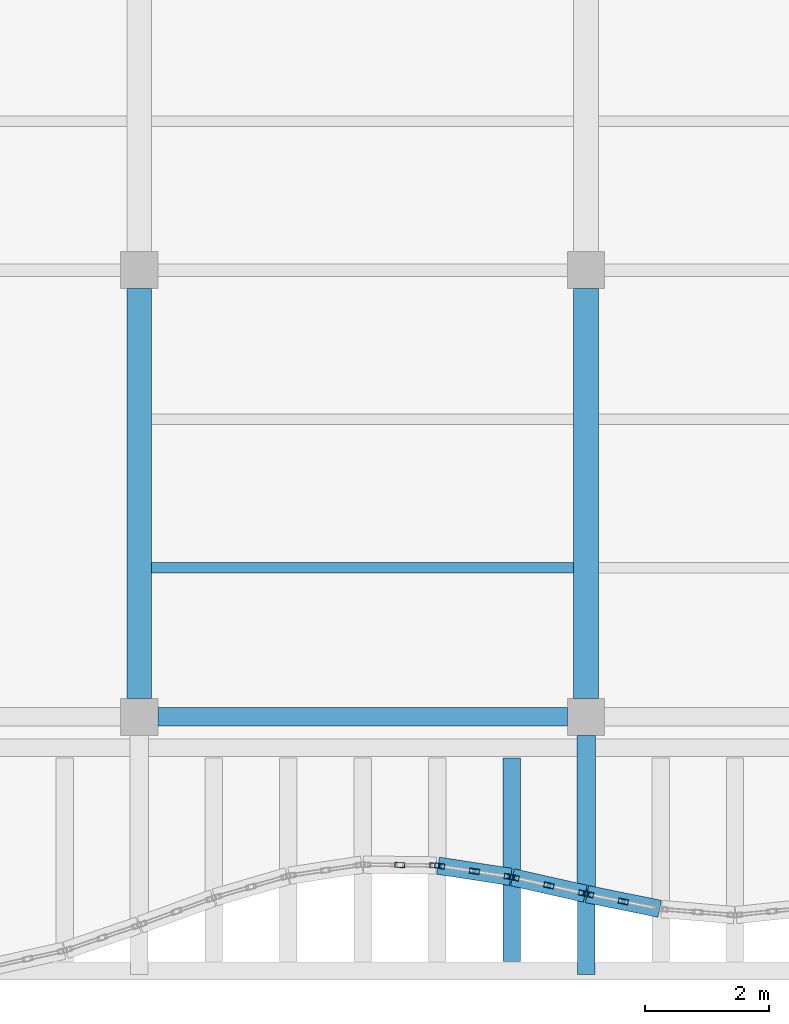
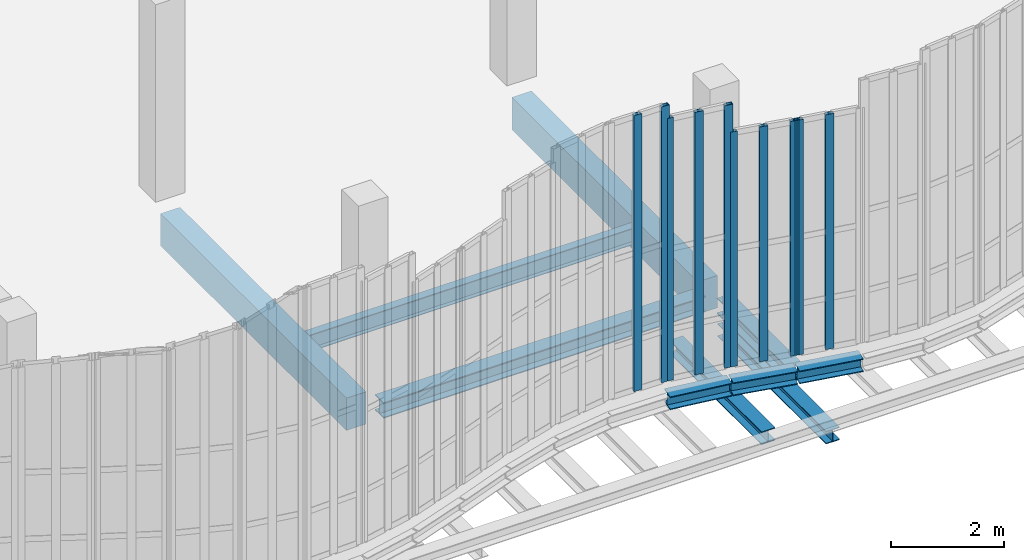
# One storey, part 19 of 76: 10 beams, 10 members, 4 elements without a shape of their own.
"""IFC4 building model written with IfcOpenShell, lengths in metres."""

from ifc_helpers import new_model, si_unit, direction, frame, origin, origin_2d, place, context, subcontext, project, spatial, rectangle, hollow_rectangle, i_section, extrude, material, layer, layer_set, material_profile, profile_set, type_object, element, aggregate, save


model = new_model("IFC4")

# Units and contexts
model_context = context("Model", 3, precision=1e-05, world=origin(), true_north=direction((0.0, 1.0)))
body_context = subcontext(model_context, "Body", "Model", "MODEL_VIEW")
ifc_project = project(units=[si_unit("LENGTHUNIT", "METRE"), si_unit("AREAUNIT", "SQUARE_METRE"), si_unit("VOLUMEUNIT", "CUBIC_METRE"), si_unit("PLANEANGLEUNIT", "RADIAN"), si_unit("MASSUNIT", "GRAM", prefix="KILO"), si_unit("THERMODYNAMICTEMPERATUREUNIT", "KELVIN"), si_unit("POWERUNIT", "WATT")], contexts=[model_context])

# Site, building, storey
site_placement = place(None, origin())
site = spatial("IfcSite", under=ifc_project, at=site_placement, CompositionType="ELEMENT")
building_placement = place(site_placement, origin())
building = spatial("IfcBuilding", under=site, at=building_placement, Name="Kaldorven Railside Theatre", CompositionType="ELEMENT")
storey_placement = place(building_placement, frame((0.0, 0.0, 14.39990234375)))
storey = spatial("IfcBuildingStorey", under=building, at=storey_placement, Name="L03", CompositionType="ELEMENT", Elevation=14.39990234375)

# Beams
ifc_material_1 = material(Name="Steel S355", Category="steel")
ifc_material_profile_1 = material_profile(ifc_material_1, i_section(OverallWidth=0.280029296875, OverallDepth=0.280029296875, WebThickness=0.010498046875, FlangeThickness=0.01806640625, at=origin_2d()), Name="HEB 280")
ifc_profile_set_1 = profile_set([ifc_material_profile_1], Name="Steel S355")
beam_type_1 = type_object("IfcBeamType", Name="BM-HEB280", PredefinedType="SPANDREL", material=ifc_profile_set_1)
beam_1_placement = place(storey_placement, frame((87.199951171875, 15.050048828125, -0.97998046875), z_axis=(0.0, 1.0, 0.0), x_axis=(-1.0, 0.0, 0.0)))
element("IfcBeam", 1, at=beam_1_placement, inside=storey, type_object=beam_type_1, Name="L03 Sinusoidal Lower Cantilever Girder FOB-K033", PredefinedType="SPANDREL", context=body_context, shape_type="SweptSolid", body=[
    extrude(i_section(OverallWidth=0.280029296875, OverallDepth=0.280029296875, WebThickness=0.010498046875, FlangeThickness=0.01806640625, at=origin_2d()), origin(), (0.0, 0.0, 1.0), 3.849853515625),
])
beam_2_placement = place(storey_placement, frame((84.814697265625, 16.80224609375, -0.419921875), z_axis=(0.988233068562, -0.152955556294, 0.0), x_axis=(0.152955556294, 0.988233068562, 0.0)))
element("IfcBeam", 2, at=beam_2_placement, inside=storey, type_object=beam_type_1, Name="L03 Sinusoidal Flute Edge Spandrel FSB-185", PredefinedType="SPANDREL", context=body_context, shape_type="SweptSolid", body=[
    extrude(i_section(OverallWidth=0.280029296875, OverallDepth=0.280029296875, WebThickness=0.010498046875, FlangeThickness=0.01806640625, at=origin_2d()), origin(), (0.0, 0.0, 1.0), 1.184326171875),
])
beam_3_placement = place(storey_placement, frame((86.0146484375, 16.615478515625, -0.419921875), z_axis=(0.975342220992, -0.220697874823, 0.0), x_axis=(0.220697874823, 0.975342220992, 0.0)))
element("IfcBeam", 3, at=beam_3_placement, inside=storey, type_object=beam_type_1, Name="L03 Sinusoidal Flute Edge Spandrel FSB-186", PredefinedType="SPANDREL", context=body_context, shape_type="SweptSolid", body=[
    extrude(i_section(OverallWidth=0.280029296875, OverallDepth=0.280029296875, WebThickness=0.010498046875, FlangeThickness=0.01806640625, at=origin_2d()), origin(), (0.0, 0.0, 1.0), 1.2001953125),
])
beam_4_placement = place(storey_placement, frame((86.0, 15.260009765625, -0.699951171875), z_axis=(0.0, 1.0, 0.0), x_axis=(-1.0, 0.0, 0.0)))
element("IfcBeam", 4, at=beam_4_placement, inside=storey, type_object=beam_type_1, Name="L03 Sinusoidal Diaphragm Rib Outrigger FOB-M186", PredefinedType="SPANDREL", context=body_context, shape_type="SweptSolid", body=[
    extrude(i_section(OverallWidth=0.280029296875, OverallDepth=0.280029296875, WebThickness=0.010498046875, FlangeThickness=0.01806640625, at=origin_2d()), origin(), (0.0, 0.0, 1.0), 3.280029296875),
])
beam_5_placement = place(storey_placement, frame((87.214599609375, 16.34423828125, -0.419921875), z_axis=(0.980145886477, -0.19827768715, 0.0), x_axis=(0.19827768715, 0.980145886477, 0.0)))
element("IfcBeam", 5, at=beam_5_placement, inside=storey, type_object=beam_type_1, Name="L03 Sinusoidal Flute Edge Spandrel FSB-187", PredefinedType="SPANDREL", context=body_context, shape_type="SweptSolid", body=[
    extrude(i_section(OverallWidth=0.280029296875, OverallDepth=0.280029296875, WebThickness=0.010498046875, FlangeThickness=0.01806640625, at=origin_2d()), origin(), (0.0, 0.0, 1.0), 1.1943359375),
])
ifc_material_profile_2 = material_profile(ifc_material_1, i_section(OverallWidth=0.300048828125, OverallDepth=0.340087890625, WebThickness=0.011962890625, FlangeThickness=0.021484375, at=origin_2d()), Name="HEB 340")
ifc_profile_set_2 = profile_set([ifc_material_profile_2], Name="Steel S355")
beam_type_2 = type_object("IfcBeamType", Name="BM-HEB340", PredefinedType="SPANDREL", material=ifc_profile_set_2)
beam_6_placement = place(storey_placement, frame((80.300048828125, 19.199951171875, -0.449951171875), z_axis=(1.0, 0.0, 0.0), x_axis=(0.0, 1.0, 0.0)))
element("IfcBeam", 6, at=beam_6_placement, inside=storey, type_object=beam_type_2, Name="L03 Girder BGX-L03-080-019", PredefinedType="SPANDREL", context=body_context, shape_type="SweptSolid", body=[
    extrude(i_section(OverallWidth=0.300048828125, OverallDepth=0.340087890625, WebThickness=0.011962890625, FlangeThickness=0.021484375, at=origin_2d()), origin(), (0.0, 0.0, 1.0), 6.599853515625),
])
beam_7_placement = place(storey_placement, frame((87.199951171875, 16.4072265625, -0.449951171875), z_axis=(0.0, 1.0, 0.0), x_axis=(-1.0, 0.0, 0.0)))
element("IfcBeam", 7, at=beam_7_placement, inside=storey, type_object=beam_type_2, Name="L03 Sinusoidal Veil Outrigger FOB-3087", PredefinedType="SPANDREL", context=body_context, shape_type="SweptSolid", body=[
    extrude(i_section(OverallWidth=0.300048828125, OverallDepth=0.340087890625, WebThickness=0.011962890625, FlangeThickness=0.021484375, at=origin_2d()), origin(), (0.0, 0.0, 1.0), 2.49267578125),
])
ifc_material_profile_3 = material_profile(ifc_material_1, i_section(OverallWidth=0.169921875, OverallDepth=0.360107421875, WebThickness=0.008056640625, FlangeThickness=0.0126953125, at=origin_2d()), Name="IPE 360")
ifc_profile_set_3 = profile_set([ifc_material_profile_3], Name="Steel S355")
beam_type_3 = type_object("IfcBeamType", Name="BM-IPE360", PredefinedType="JOIST", material=ifc_profile_set_3)
beam_8_placement = place(storey_placement, frame((80.199951171875, 21.60009765625, -0.4599609375), z_axis=(1.0, 0.0, 0.0), x_axis=(0.0, 1.0, 0.0)))
element("IfcBeam", 8, at=beam_8_placement, inside=storey, type_object=beam_type_3, Name="L03 Secondary Floor Joist JG-L03-080-0216", PredefinedType="JOIST", context=body_context, shape_type="SweptSolid", body=[
    extrude(i_section(OverallWidth=0.169921875, OverallDepth=0.360107421875, WebThickness=0.008056640625, FlangeThickness=0.0126953125, at=origin_2d()), origin(), (0.0, 0.0, 1.0), 6.800048828125),
])
ifc_material_2 = material(Name="Concrete C40/50", Category="concrete")
ifc_material_profile_4 = material_profile(ifc_material_2, rectangle(XDim=0.39990234375, YDim=0.699951171875, at=origin_2d()), Name="RC 400x700")
ifc_profile_set_4 = profile_set([ifc_material_profile_4], Name="Concrete C40/50")
beam_type_4 = type_object("IfcBeamType", Name="BM-RC400x700", PredefinedType="BEAM", material=ifc_profile_set_4)
for number, where, z_axis, x_axis, name in (
    (9, (80.0, 19.5, -0.6298828125), (0.0, 1.0, 0.0), (-1.0, 0.0, 0.0), "L03 Girder BGY-L03-080-019-72"),
    (10, (87.199951171875, 19.5, -0.6298828125), (0.0, 1.0, 0.0), (-1.0, 0.0, 0.0), "L03 Girder BGY-L03-087-019-72"),
):
    element("IfcBeam", number, at=place(storey_placement, frame(where, z_axis=z_axis, x_axis=x_axis)), inside=storey, type_object=beam_type_4, Name=name, PredefinedType="BEAM", context=body_context, shape_type="SweptSolid", body=[
        extrude(rectangle(XDim=0.39990234375, YDim=0.699951171875, at=origin_2d()), origin(), (0.0, 0.0, 1.0), 6.60009765625),
    ])

# Curtain wall, members
ifc_material_3 = material(Name="Low-E laminated solar-control glass", Category="glass")
ifc_layer_1 = layer(ifc_material_3, 0.159912109375, Name="Low-E laminated solar-control glass")
ifc_layer_set_1 = layer_set([ifc_layer_1], Name="Low-E laminated solar-control glass")
curtain_wall_type_1 = type_object("IfcCurtainWallType", Name="CWT-10", PredefinedType="USERDEFINED", material=ifc_layer_set_1)
curtain_wall_1_placement = place(storey_placement, origin())
curtain_wall_1 = element("IfcCurtainWall", 11, at=curtain_wall_1_placement, inside=storey, type_object=curtain_wall_type_1, Name="Sinusoidal Fluted Curtain Wall CW-L03-S40", ObjectType="FLUTED GLAZING", PredefinedType="USERDEFINED")
ifc_material_4 = material(Name="Anodised bronze aluminium", Category="aluminium")
ifc_material_profile_5 = material_profile(ifc_material_4, hollow_rectangle(XDim=0.080078125, YDim=0.159912109375, WallThickness=0.00634765625, at=origin_2d()), Name="RHS 160x80x6.3")
ifc_profile_set_5 = profile_set([ifc_material_profile_5], Name="Anodised bronze aluminium")
member_type = type_object("IfcMemberType", Name="CWM-160", PredefinedType="MULLION", material=ifc_profile_set_5)
member_1_placement = place(storey_placement, frame((84.199951171875, 16.81298828125, 0.0), z_axis=(0.0, 0.0, 1.0), x_axis=(0.013832009936, 0.999904333174, 0.0)))
member_1 = element("IfcMember", 12, at=member_1_placement, type_object=member_type, Name="CW-L03-S40 mullion 2", PredefinedType="MULLION", context=body_context, shape_type="SweptSolid", body=[
    extrude(hollow_rectangle(XDim=0.080078125, YDim=0.159912109375, WallThickness=0.00634765625, at=origin_2d()), origin(), (0.0, 0.0, 1.0), 5.97998046875),
])
member_2_placement = place(storey_placement, frame((84.760009765625, 16.80517578125, 0.0), z_axis=(0.0, 0.0, 1.0), x_axis=(0.013832009936, 0.999904333174, 0.0)))
member_2 = element("IfcMember", 13, at=member_2_placement, type_object=member_type, Name="CW-L03-S40 mullion 3", PredefinedType="MULLION", context=body_context, shape_type="SweptSolid", body=[
    extrude(hollow_rectangle(XDim=0.080078125, YDim=0.159912109375, WallThickness=0.00634765625, at=origin_2d()), origin(), (0.0, 0.0, 1.0), 5.97998046875),
])
aggregate(curtain_wall_1, [member_1, member_2])

ifc_layer_2 = layer(ifc_material_3, 0.159912109375, Name="Low-E laminated solar-control glass")
ifc_layer_set_2 = layer_set([ifc_layer_2], Name="Low-E laminated solar-control glass")
curtain_wall_type_2 = type_object("IfcCurtainWallType", Name="CWT-18", PredefinedType="USERDEFINED", material=ifc_layer_set_2)
curtain_wall_2_placement = place(storey_placement, origin())
curtain_wall_2 = element("IfcCurtainWall", 14, at=curtain_wall_2_placement, inside=storey, type_object=curtain_wall_type_2, Name="Sinusoidal Fluted Curtain Wall CW-L03-S41", ObjectType="FLUTED GLAZING", PredefinedType="USERDEFINED")
member_3_placement = place(storey_placement, frame((84.839599609375, 16.798583984375, 0.0), z_axis=(0.0, 0.0, 1.0), x_axis=(0.153010112468, 0.988224622989, 0.0)))
member_3 = element("IfcMember", 15, at=member_3_placement, type_object=member_type, Name="CW-L03-S41 mullion 1", PredefinedType="MULLION", context=body_context, shape_type="SweptSolid", body=[
    extrude(hollow_rectangle(XDim=0.080078125, YDim=0.159912109375, WallThickness=0.00634765625, at=origin_2d()), origin(), (0.0, 0.0, 1.0), 5.690185546875),
])
member_4_placement = place(storey_placement, frame((85.39990234375, 16.711669921875, 0.0), z_axis=(0.0, 0.0, 1.0), x_axis=(0.153010112468, 0.988224622989, 0.0)))
member_4 = element("IfcMember", 16, at=member_4_placement, type_object=member_type, Name="CW-L03-S41 mullion 2", PredefinedType="MULLION", context=body_context, shape_type="SweptSolid", body=[
    extrude(hollow_rectangle(XDim=0.080078125, YDim=0.159912109375, WallThickness=0.00634765625, at=origin_2d()), origin(), (0.0, 0.0, 1.0), 5.690185546875),
])
member_5_placement = place(storey_placement, frame((85.96044921875, 16.625, 0.0), z_axis=(0.0, 0.0, 1.0), x_axis=(0.153010112468, 0.988224622989, 0.0)))
member_5 = element("IfcMember", 17, at=member_5_placement, type_object=member_type, Name="CW-L03-S41 mullion 3", PredefinedType="MULLION", context=body_context, shape_type="SweptSolid", body=[
    extrude(hollow_rectangle(XDim=0.080078125, YDim=0.159912109375, WallThickness=0.00634765625, at=origin_2d()), origin(), (0.0, 0.0, 1.0), 5.690185546875),
])
aggregate(curtain_wall_2, [member_3, member_4, member_5])

ifc_layer_3 = layer(ifc_material_3, 0.159912109375, Name="Low-E laminated solar-control glass")
ifc_layer_set_3 = layer_set([ifc_layer_3], Name="Low-E laminated solar-control glass")
curtain_wall_type_3 = type_object("IfcCurtainWallType", Name="CWT-19", PredefinedType="USERDEFINED", material=ifc_layer_set_3)
curtain_wall_3_placement = place(storey_placement, origin())
curtain_wall_3 = element("IfcCurtainWall", 18, at=curtain_wall_3_placement, inside=storey, type_object=curtain_wall_type_3, Name="Sinusoidal Fluted Curtain Wall CW-L03-S42", ObjectType="FLUTED GLAZING", PredefinedType="USERDEFINED")
member_6_placement = place(storey_placement, frame((86.0390625, 16.60986328125, 0.0), z_axis=(0.0, 0.0, 1.0), x_axis=(0.220672477642, 0.975347967451, 0.0)))
member_6 = element("IfcMember", 19, at=member_6_placement, type_object=member_type, Name="CW-L03-S42 mullion 1", PredefinedType="MULLION", context=body_context, shape_type="SweptSolid", body=[
    extrude(hollow_rectangle(XDim=0.080078125, YDim=0.159912109375, WallThickness=0.00634765625, at=origin_2d()), origin(), (0.0, 0.0, 1.0), 5.090087890625),
])
member_7_placement = place(storey_placement, frame((86.60009765625, 16.483154296875, 0.0), z_axis=(0.0, 0.0, 1.0), x_axis=(0.220672477642, 0.975347967451, 0.0)))
member_7 = element("IfcMember", 20, at=member_7_placement, type_object=member_type, Name="CW-L03-S42 mullion 2", PredefinedType="MULLION", context=body_context, shape_type="SweptSolid", body=[
    extrude(hollow_rectangle(XDim=0.080078125, YDim=0.159912109375, WallThickness=0.00634765625, at=origin_2d()), origin(), (0.0, 0.0, 1.0), 5.090087890625),
])
member_8_placement = place(storey_placement, frame((87.160888671875, 16.356201171875, 0.0), z_axis=(0.0, 0.0, 1.0), x_axis=(0.220672477642, 0.975347967451, 0.0)))
member_8 = element("IfcMember", 21, at=member_8_placement, type_object=member_type, Name="CW-L03-S42 mullion 3", PredefinedType="MULLION", context=body_context, shape_type="SweptSolid", body=[
    extrude(hollow_rectangle(XDim=0.080078125, YDim=0.159912109375, WallThickness=0.00634765625, at=origin_2d()), origin(), (0.0, 0.0, 1.0), 5.090087890625),
])
aggregate(curtain_wall_3, [member_6, member_7, member_8])

ifc_layer_4 = layer(ifc_material_3, 0.159912109375, Name="Low-E laminated solar-control glass")
ifc_layer_set_4 = layer_set([ifc_layer_4], Name="Low-E laminated solar-control glass")
curtain_wall_type_4 = type_object("IfcCurtainWallType", Name="CWT-20", PredefinedType="USERDEFINED", material=ifc_layer_set_4)
curtain_wall_4_placement = place(storey_placement, origin())
curtain_wall_4 = element("IfcCurtainWall", 22, at=curtain_wall_4_placement, inside=storey, type_object=curtain_wall_type_4, Name="Sinusoidal Fluted Curtain Wall CW-L03-S43", ObjectType="FLUTED GLAZING", PredefinedType="USERDEFINED")
member_9_placement = place(storey_placement, frame((87.2392578125, 16.33935546875, 0.0), z_axis=(0.0, 0.0, 1.0), x_axis=(0.198393134453, 0.980122525097, 0.0)))
member_9 = element("IfcMember", 23, at=member_9_placement, type_object=member_type, Name="CW-L03-S43 mullion 1", PredefinedType="MULLION", context=body_context, shape_type="SweptSolid", body=[
    extrude(hollow_rectangle(XDim=0.080078125, YDim=0.159912109375, WallThickness=0.00634765625, at=origin_2d()), origin(), (0.0, 0.0, 1.0), 5.090087890625),
])
member_10_placement = place(storey_placement, frame((87.800048828125, 16.225830078125, 0.0), z_axis=(0.0, 0.0, 1.0), x_axis=(0.198393134453, 0.980122525097, 0.0)))
member_10 = element("IfcMember", 24, at=member_10_placement, type_object=member_type, Name="CW-L03-S43 mullion 2", PredefinedType="MULLION", context=body_context, shape_type="SweptSolid", body=[
    extrude(hollow_rectangle(XDim=0.080078125, YDim=0.159912109375, WallThickness=0.00634765625, at=origin_2d()), origin(), (0.0, 0.0, 1.0), 5.090087890625),
])
aggregate(curtain_wall_4, [member_9, member_10])

save(model, "model.ifc")
